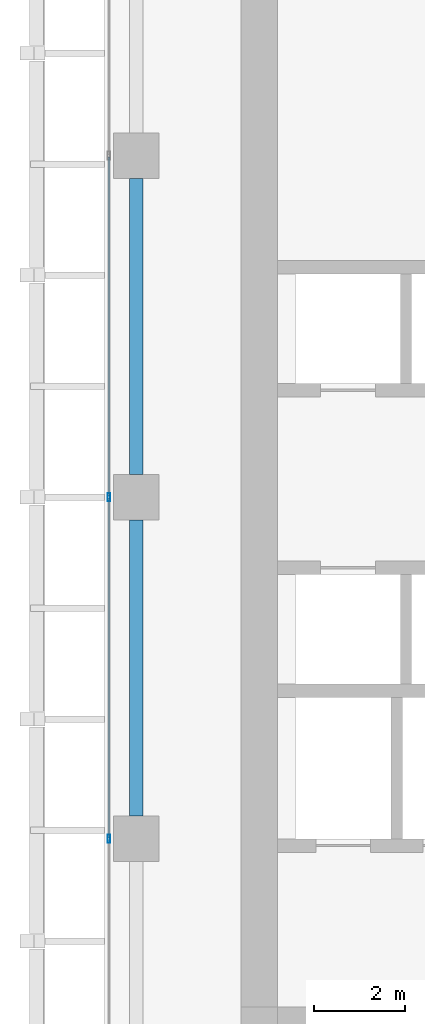
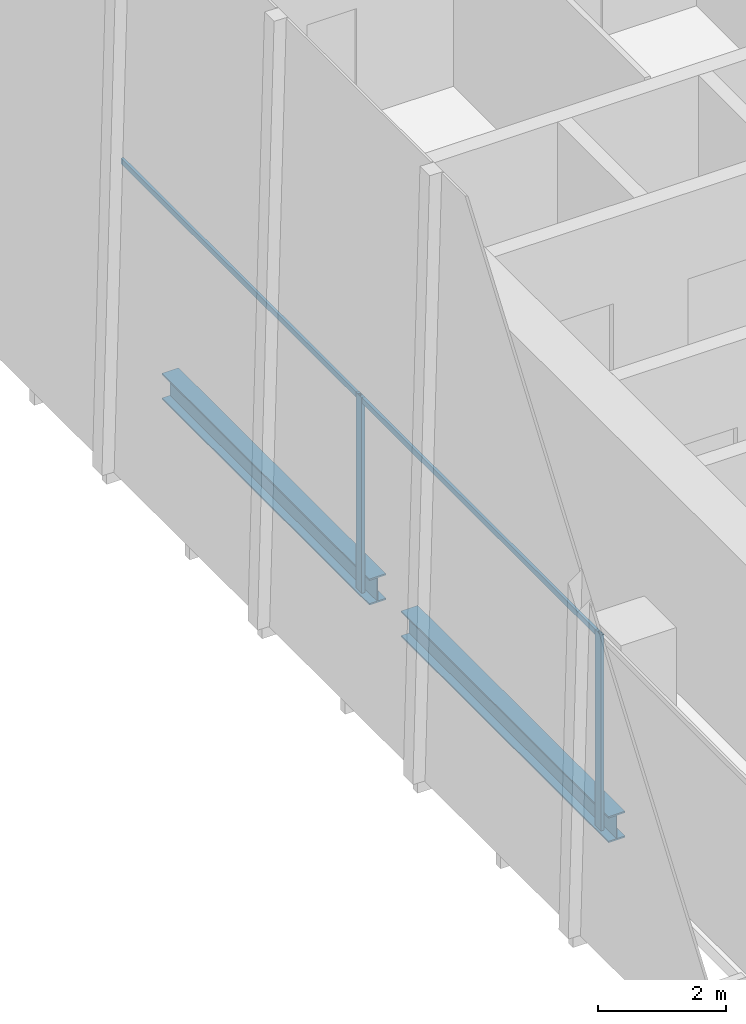
# One storey, part 7 of 35: 4 members, 2 beams, 1 element without a shape of its own.
"""IFC4 building model written with IfcOpenShell, lengths in metres."""

from ifc_helpers import new_model, si_unit, direction, frame, origin, origin_2d, place, context, subcontext, project, spatial, hollow_rectangle, i_section, extrude, source, transform, mapped, material, material_profile, profile_set, type_object, element, aggregate, save


model = new_model("IFC4")

# Units and contexts
model_context = context("Model", 3, precision=1e-05, world=origin(), true_north=direction((0.0, 1.0)))
body_context = subcontext(model_context, "Body", "Model", "MODEL_VIEW")
ifc_project = project(units=[si_unit("LENGTHUNIT", "METRE"), si_unit("AREAUNIT", "SQUARE_METRE"), si_unit("VOLUMEUNIT", "CUBIC_METRE"), si_unit("PLANEANGLEUNIT", "RADIAN"), si_unit("MASSUNIT", "GRAM", prefix="KILO")], contexts=[model_context])

# Site, building, storey
site_placement = place(None, origin())
site = spatial("IfcSite", under=ifc_project, at=site_placement, CompositionType="ELEMENT")
building_placement = place(site_placement, origin())
building = spatial("IfcBuilding", under=site, at=building_placement, Name="Khomas Fold Tower", CompositionType="ELEMENT")
storey_placement = place(building_placement, frame((0.0, 0.0, 200.699951171875)))
storey = spatial("IfcBuildingStorey", under=building, at=storey_placement, Name="L44", CompositionType="ELEMENT", Elevation=200.699951171875)

# Beams
ifc_material_1 = material(Name="Steel S355", Category="steel")
ifc_material_profile_1 = material_profile(ifc_material_1, i_section(OverallWidth=0.300048828125, OverallDepth=0.5, WebThickness=0.014404296875, FlangeThickness=0.028076171875, at=origin_2d()), Name="HE 500 B")
ifc_profile_set_1 = profile_set([ifc_material_profile_1], Name="Steel S355")
beam_type = type_object("IfcBeamType", Name="HE 500 B spandrel SB3", PredefinedType="SPANDREL", material=ifc_profile_set_1)
shared_shape_1 = source(origin(), body_context, "Body", "SweptSolid", [
    extrude(i_section(OverallWidth=0.300048828125, OverallDepth=0.5, WebThickness=0.014404296875, FlangeThickness=0.028076171875, at=origin_2d()), origin(), (0.0, 0.0, 1.0), 6.5),
])
for number, where, z_axis, x_axis, name in (
    (1, (3.699951171875, 27.5, -0.5), (0.0, 1.0, 0.0), (-1.0, 0.0, 0.0), "SB3"),
    (2, (3.699951171875, 20.0, -0.5), (0.0, 1.0, 0.0), (-1.0, 0.0, 0.0), "SB3"),
):
    element("IfcBeam", number, at=place(storey_placement, frame(where, z_axis=z_axis, x_axis=x_axis)), inside=storey, type_object=beam_type, Name=name, PredefinedType="SPANDREL", context=body_context, shape_type="MappedRepresentation", body=[
        mapped(shared_shape_1, transform((0.0, 0.0, 0.0))),
    ])

# Curtain wall, members
ifc_material_2 = material(Name="Aluminium framed double glazing", Category="aluminium")
curtain_wall_type = type_object("IfcCurtainWallType", Name="SK-Unitised clear-glass wall, office floors CW2", PredefinedType="NOTDEFINED", material=ifc_material_2)
curtain_wall_placement = place(storey_placement, origin())
curtain_wall = element("IfcCurtainWall", 3, at=curtain_wall_placement, inside=storey, type_object=curtain_wall_type, Name="CW2 run L44 09-0", PredefinedType="NOTDEFINED")
ifc_material_3 = material(Name="Aluminium", Category="aluminium")
ifc_material_profile_2 = material_profile(ifc_material_3, hollow_rectangle(XDim=0.06005859375, YDim=0.179931640625, WallThickness=0.00390625, at=origin_2d()), Name="SK-Unitised clear-glass wall, office floors mullion CW2-M")
ifc_profile_set_2 = profile_set([ifc_material_profile_2], Name="Aluminium")
member_type_1 = type_object("IfcMemberType", Name="SK-Unitised clear-glass wall, office floors mullion CW2-M", PredefinedType="MULLION", material=ifc_profile_set_2)
shared_shape_2 = source(origin(), body_context, "Body", "SweptSolid", [
    extrude(hollow_rectangle(XDim=0.06005859375, YDim=0.179931640625, WallThickness=0.00390625, at=origin_2d()), origin(), (0.0, 0.0, 1.0), 3.75),
])
member_1_placement = place(storey_placement, frame((3.10009765625, 27.0, 0.0), z_axis=(0.0, 0.0, 1.0), x_axis=(1.0, 0.0, 0.0)))
member_1 = element("IfcMember", 4, at=member_1_placement, type_object=member_type_1, Name="CW2 mullion 5", PredefinedType="MULLION", context=body_context, shape_type="MappedRepresentation", body=[
    mapped(shared_shape_2, transform((0.0, 0.0, 0.0))),
])
member_2_placement = place(storey_placement, frame((3.10009765625, 19.5, 0.0), z_axis=(0.0, 0.0, 1.0), x_axis=(1.0, 0.0, 0.0)))
member_2 = element("IfcMember", 5, at=member_2_placement, type_object=member_type_1, Name="CW2 mullion 6", PredefinedType="MULLION", context=body_context, shape_type="MappedRepresentation", body=[
    mapped(shared_shape_2, transform((0.0, 0.0, 0.0))),
])
ifc_material_4 = material(Name="Aluminium", Category="aluminium")
ifc_material_profile_3 = material_profile(ifc_material_4, hollow_rectangle(XDim=0.050048828125, YDim=0.110107421875, WallThickness=0.00390625, at=origin_2d()), Name="SK-Unitised clear-glass wall, office floors transom CW2-T")
ifc_profile_set_3 = profile_set([ifc_material_profile_3], Name="Aluminium")
member_type_2 = type_object("IfcMemberType", Name="SK-Unitised clear-glass wall, office floors transom CW2-T", PredefinedType="USERDEFINED", material=ifc_profile_set_3)
shared_shape_3 = source(origin(), body_context, "Body", "SweptSolid", [
    extrude(hollow_rectangle(XDim=0.050048828125, YDim=0.110107421875, WallThickness=0.00390625, at=origin_2d()), origin(), (0.0, 0.0, 1.0), 7.43994140625),
])
member_3_placement = place(storey_placement, frame((3.10009765625, 34.469970703125, 3.695068359375), z_axis=(0.0, -1.0, 0.0), x_axis=(1.0, 0.0, 0.0)))
member_3 = element("IfcMember", 6, at=member_3_placement, type_object=member_type_2, Name="CW2 transom 4", ObjectType="TRANSOM", PredefinedType="USERDEFINED", context=body_context, shape_type="MappedRepresentation", body=[
    mapped(shared_shape_3, transform((0.0, 0.0, 0.0))),
])
member_4_placement = place(storey_placement, frame((3.10009765625, 26.969970703125, 3.695068359375), z_axis=(0.0, -1.0, 0.0), x_axis=(1.0, 0.0, 0.0)))
member_4 = element("IfcMember", 7, at=member_4_placement, type_object=member_type_2, Name="CW2 transom 5", ObjectType="TRANSOM", PredefinedType="USERDEFINED", context=body_context, shape_type="MappedRepresentation", body=[
    mapped(shared_shape_3, transform((0.0, 0.0, 0.0))),
])
aggregate(curtain_wall, [member_1, member_2, member_3, member_4])

save(model, "model.ifc")
